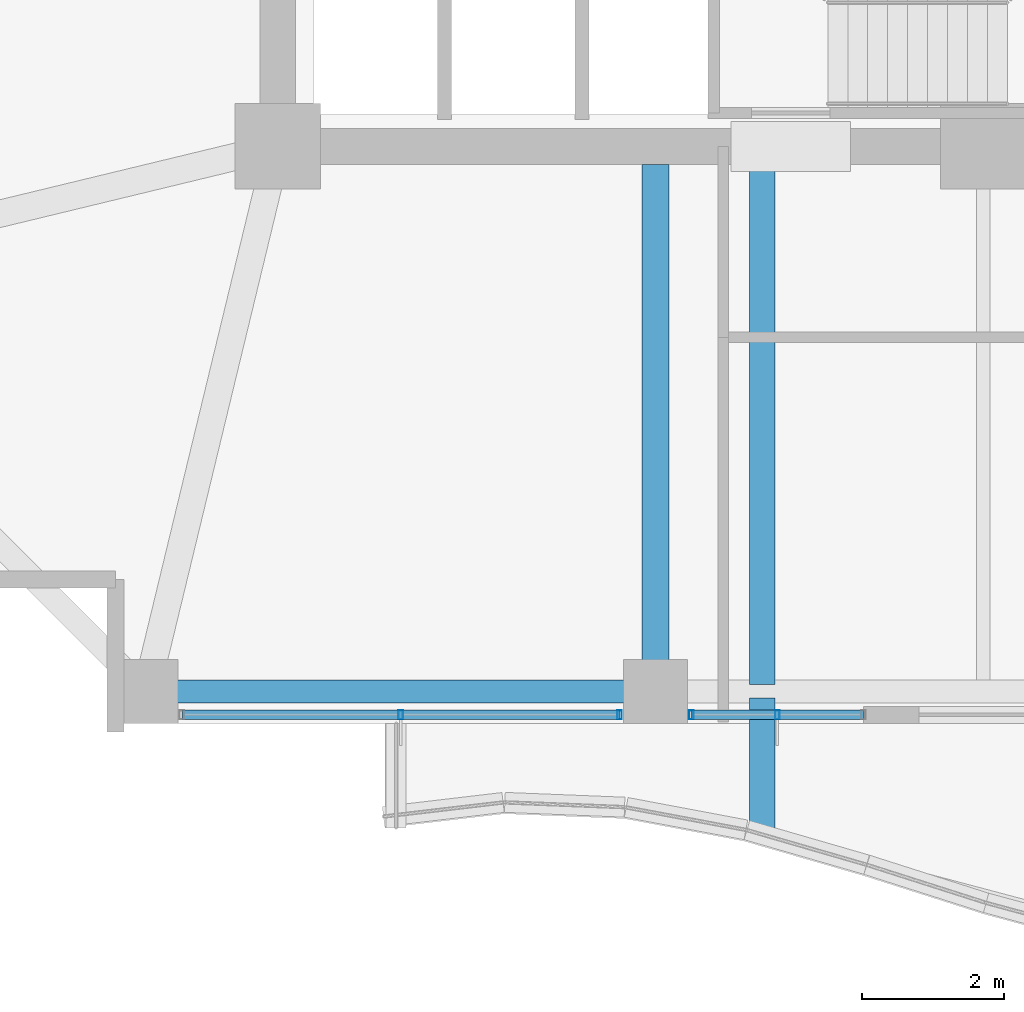
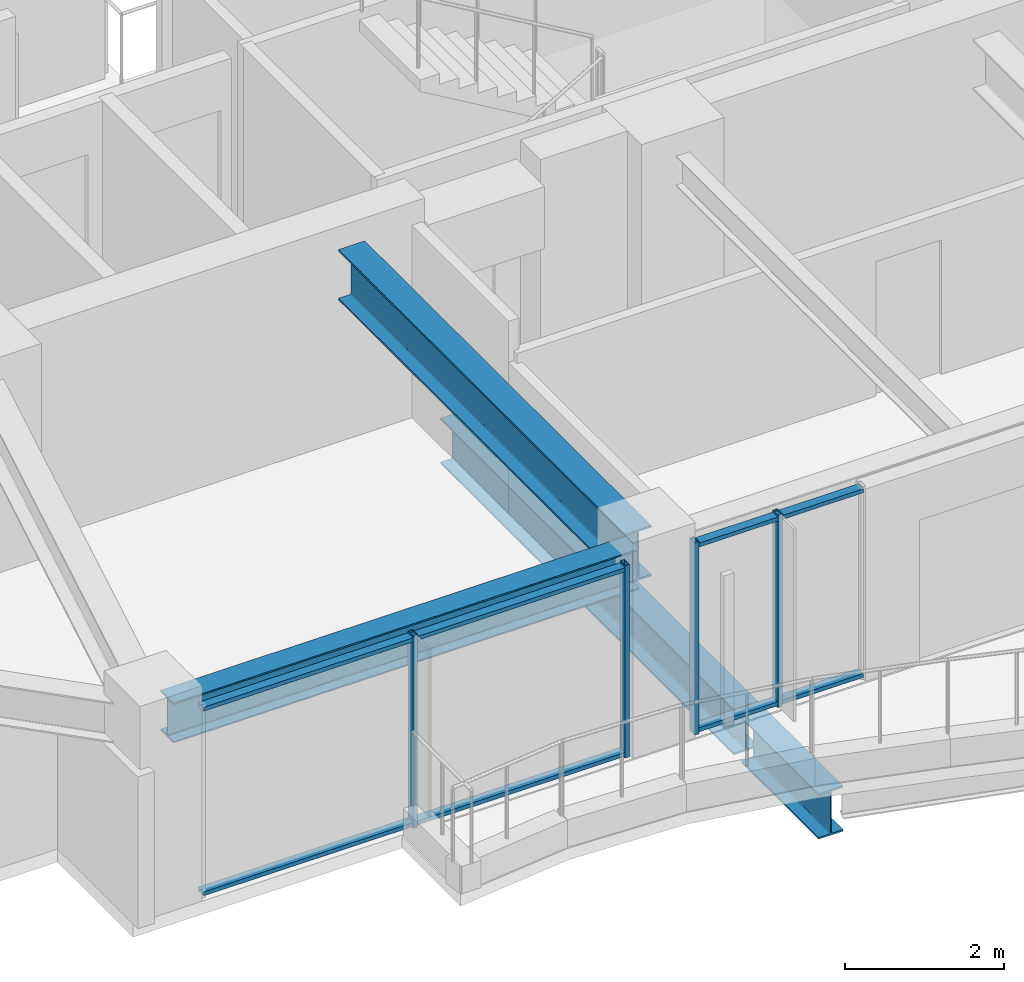
# One storey, part 3 of 31: 8 members, 4 beams, 2 elements without a shape of their own.
"""IFC4 building model written with IfcOpenShell, lengths in metres."""

from ifc_helpers import new_model, si_unit, direction, frame, origin, origin_2d, place, context, subcontext, project, spatial, hollow_rectangle, i_section, extrude, material, material_profile, profile_set, type_object, element, aggregate, save


model = new_model("IFC4")

# Units and contexts
model_context = context("Model", 3, precision=1e-05, world=origin(), true_north=direction((0.0, 1.0)))
body_context = subcontext(model_context, "Body", "Model", "MODEL_VIEW")
ifc_project = project(units=[si_unit("LENGTHUNIT", "METRE"), si_unit("AREAUNIT", "SQUARE_METRE"), si_unit("VOLUMEUNIT", "CUBIC_METRE"), si_unit("PLANEANGLEUNIT", "RADIAN"), si_unit("MASSUNIT", "GRAM", prefix="KILO")], contexts=[model_context])

# Site, building, storey
site_placement = place(None, origin())
site = spatial("IfcSite", under=ifc_project, at=site_placement, CompositionType="ELEMENT")
building_placement = place(site_placement, origin())
building = spatial("IfcBuilding", under=site, at=building_placement, Name="Kolvaren Belvedere", CompositionType="ELEMENT")
storey_placement = place(building_placement, frame((0.0, 0.0, 144.800048828125)))
storey = spatial("IfcBuildingStorey", under=building, at=storey_placement, Name="L42", CompositionType="ELEMENT", Elevation=144.800048828125)

# Beams
ifc_material_1 = material(Name="Structural steel ASTM A992 Grade 50", Category="steel")
ifc_material_profile_1 = material_profile(ifc_material_1, i_section(OverallWidth=0.35498046875, OverallDepth=0.696044921875, WebThickness=0.015380859375, FlangeThickness=0.02490234375, FilletRadius=0.02197265625, at=origin_2d()), Name="W27X146")
ifc_profile_set_1 = profile_set([ifc_material_profile_1], Name="Structural steel ASTM A992 Grade 50")
beam_type_1 = type_object("IfcBeamType", Name="BM-CANT-BAL", PredefinedType="BEAM", material=ifc_profile_set_1)
beam_1_placement = place(storey_placement, frame((-3.10009765625, -17.64501953125, -0.548095703125), z_axis=(0.0, -1.0, 0.0), x_axis=(1.0, 0.0, 0.0)))
element("IfcBeam", 1, at=beam_1_placement, inside=storey, type_object=beam_type_1, Name="L42 Planted Balcony Cantilever BAL-S-1", PredefinedType="BEAM", context=body_context, shape_type="SweptSolid", body=[
    extrude(i_section(OverallWidth=0.35498046875, OverallDepth=0.696044921875, WebThickness=0.015380859375, FlangeThickness=0.02490234375, FilletRadius=0.02197265625, at=origin_2d()), origin(), (0.0, 0.0, 1.0), 1.94189453125),
])
ifc_material_2 = material(Name="Structural steel ASTM A992 Grade 50", Category="steel")
ifc_material_profile_2 = material_profile(ifc_material_2, i_section(OverallWidth=0.35498046875, OverallDepth=0.696044921875, WebThickness=0.015380859375, FlangeThickness=0.02490234375, FilletRadius=0.02197265625, at=origin_2d()), Name="W27X146")
ifc_profile_set_2 = profile_set([ifc_material_profile_2], Name="Structural steel ASTM A992 Grade 50")
beam_type_2 = type_object("IfcBeamType", Name="BM-GIRD-W27X146", PredefinedType="BEAM", material=ifc_profile_set_2)
beam_2_placement = place(storey_placement, frame((-3.10009765625, -10.090087890625, -0.548095703125), z_axis=(0.0, -1.0, 0.0), x_axis=(1.0, 0.0, 0.0)))
element("IfcBeam", 2, at=beam_2_placement, inside=storey, type_object=beam_type_2, Name="L42 Balcony Interior Back-Span Girder BAL-S-1", PredefinedType="BEAM", context=body_context, shape_type="SweptSolid", body=[
    extrude(i_section(OverallWidth=0.35498046875, OverallDepth=0.696044921875, WebThickness=0.015380859375, FlangeThickness=0.02490234375, FilletRadius=0.02197265625, at=origin_2d()), origin(), (0.0, 0.0, 1.0), 7.364990234375),
])
ifc_material_3 = material(Name="Structural steel ASTM A992 Grade 50", Category="steel")
ifc_material_profile_3 = material_profile(ifc_material_3, i_section(OverallWidth=0.381103515625, OverallDepth=0.77294921875, WebThickness=0.0166015625, FlangeThickness=0.027099609375, FilletRadius=0.02392578125, at=origin_2d()), Name="W30X173")
ifc_profile_set_3 = profile_set([ifc_material_profile_3], Name="Structural steel ASTM A992 Grade 50")
beam_type_3 = type_object("IfcBeamType", Name="BM-GIRD-W30X173", PredefinedType="BEAM", material=ifc_profile_set_3)
beam_3_placement = place(storey_placement, frame((-4.60009765625, -10.14990234375, 2.5634765625), z_axis=(0.0, -1.0, 0.0), x_axis=(1.0, 0.0, 0.0)))
element("IfcBeam", 3, at=beam_3_placement, inside=storey, type_object=beam_type_3, Name="L42 South Radial Girder M", PredefinedType="BEAM", context=body_context, shape_type="SweptSolid", body=[
    extrude(i_section(OverallWidth=0.381103515625, OverallDepth=0.77294921875, WebThickness=0.0166015625, FlangeThickness=0.027099609375, FilletRadius=0.02392578125, at=origin_2d()), origin(), (0.0, 0.0, 1.0), 7.197509765625),
])
ifc_material_4 = material(Name="Structural steel ASTM A992 Grade 50", Category="steel")
ifc_material_profile_4 = material_profile(ifc_material_4, i_section(OverallWidth=0.324951171875, OverallDepth=0.615966796875, WebThickness=0.013916015625, FlangeThickness=0.021484375, FilletRadius=0.02001953125, at=origin_2d()), Name="W24X117")
ifc_profile_set_4 = profile_set([ifc_material_profile_4], Name="Structural steel ASTM A992 Grade 50")
beam_type_4 = type_object("IfcBeamType", Name="BM-SPAN-W24X117", PredefinedType="SPANDREL", material=ifc_profile_set_4)
beam_4_placement = place(storey_placement, frame((-11.547607421875, -17.550048828125, 2.641845703125), z_axis=(1.0, 0.0, 0.0), x_axis=(0.0, 1.0, 0.0)))
element("IfcBeam", 4, at=beam_4_placement, inside=storey, type_object=beam_type_4, Name="L42 Perimeter Spandrel S1-S2", PredefinedType="SPANDREL", context=body_context, shape_type="SweptSolid", body=[
    extrude(i_section(OverallWidth=0.324951171875, OverallDepth=0.615966796875, WebThickness=0.013916015625, FlangeThickness=0.021484375, FilletRadius=0.02001953125, at=origin_2d()), origin(), (0.0, 0.0, 1.0), 6.7451171875),
])

# Curtain wall, members
ifc_material_5 = material(Name="Anodised pale-metal aluminium AA 6063-T6", Category="aluminium")
curtain_wall_type = type_object("IfcCurtainWallType", Name="CW-Z3-WAIST", PredefinedType="NOTDEFINED", material=ifc_material_5)
curtain_wall_1_placement = place(storey_placement, origin())
curtain_wall_1 = element("IfcCurtainWall", 5, at=curtain_wall_1_placement, inside=storey, type_object=curtain_wall_type, Name="L42 Unitised Curtain Wall FCW-L42-S2-B1", PredefinedType="NOTDEFINED")
ifc_material_6 = material(Name="Anodised pale-metal aluminium AA 6063-T6", Category="aluminium")
ifc_material_profile_5 = material_profile(ifc_material_6, hollow_rectangle(XDim=0.06494140625, YDim=0.1298828125, WallThickness=0.00390625, at=origin_2d()), Name="ALU-MUL-130X65")
ifc_profile_set_5 = profile_set([ifc_material_profile_5], Name="Anodised pale-metal aluminium AA 6063-T6")
member_type_1 = type_object("IfcMemberType", Name="CW-MUL-130", PredefinedType="MULLION", material=ifc_profile_set_5)
member_1_placement = place(storey_placement, frame((-2.888671875, -17.8798828125, 0.0), z_axis=(0.0, 0.0, 1.0), x_axis=(1.0, 0.0, 0.0)))
member_1 = element("IfcMember", 6, at=member_1_placement, type_object=member_type_1, Name="FCW-L42-S2-B1 Unitised Mullion 2", PredefinedType="MULLION", context=body_context, shape_type="SweptSolid", body=[
    extrude(hollow_rectangle(XDim=0.06494140625, YDim=0.1298828125, WallThickness=0.00390625, at=origin_2d()), origin(), (0.0, 0.0, 1.0), 2.949951171875),
])
member_2_placement = place(storey_placement, frame((-4.097412109375, -17.8798828125, 0.0), z_axis=(0.0, 0.0, 1.0), x_axis=(1.0, 0.0, 0.0)))
member_2 = element("IfcMember", 7, at=member_2_placement, type_object=member_type_1, Name="FCW-L42-S2-B1 Unitised Mullion 3", PredefinedType="MULLION", context=body_context, shape_type="SweptSolid", body=[
    extrude(hollow_rectangle(XDim=0.06494140625, YDim=0.1298828125, WallThickness=0.00390625, at=origin_2d()), origin(), (0.0, 0.0, 1.0), 2.949951171875),
])

curtain_wall_2_placement = place(storey_placement, origin())
curtain_wall_2 = element("IfcCurtainWall", 8, at=curtain_wall_2_placement, inside=storey, type_object=curtain_wall_type, Name="L42 Unitised Curtain Wall FCW-L42-S2-B2", PredefinedType="NOTDEFINED")
member_3_placement = place(storey_placement, frame((-5.1025390625, -17.8798828125, 0.0), z_axis=(0.0, 0.0, 1.0), x_axis=(1.0, 0.0, 0.0)))
member_3 = element("IfcMember", 9, at=member_3_placement, type_object=member_type_1, Name="FCW-L42-S2-B2 Unitised Mullion 1", PredefinedType="MULLION", context=body_context, shape_type="SweptSolid", body=[
    extrude(hollow_rectangle(XDim=0.06494140625, YDim=0.1298828125, WallThickness=0.00390625, at=origin_2d()), origin(), (0.0, 0.0, 1.0), 2.949951171875),
])
member_4_placement = place(storey_placement, frame((-8.175048828125, -17.8798828125, 0.0), z_axis=(0.0, 0.0, 1.0), x_axis=(1.0, 0.0, 0.0)))
member_4 = element("IfcMember", 10, at=member_4_placement, type_object=member_type_1, Name="FCW-L42-S2-B2 Unitised Mullion 2", PredefinedType="MULLION", context=body_context, shape_type="SweptSolid", body=[
    extrude(hollow_rectangle(XDim=0.06494140625, YDim=0.1298828125, WallThickness=0.00390625, at=origin_2d()), origin(), (0.0, 0.0, 1.0), 2.949951171875),
])

# Member
ifc_material_7 = material(Name="Anodised pale-metal aluminium AA 6063-T6", Category="aluminium")
ifc_material_profile_6 = material_profile(ifc_material_7, hollow_rectangle(XDim=0.06005859375, YDim=0.1298828125, WallThickness=0.00390625, at=origin_2d()), Name="ALU-TRN-130X60")
ifc_profile_set_6 = profile_set([ifc_material_profile_6], Name="Anodised pale-metal aluminium AA 6063-T6")
member_type_2 = type_object("IfcMemberType", Name="CW-TRN-130", PredefinedType="USERDEFINED", material=ifc_profile_set_6)
member_5_placement = place(storey_placement, frame((-1.679931640625, -17.8798828125, 0.06005859375), z_axis=(-1.0, 0.0, 0.0), x_axis=(0.0, 0.0, 1.0)))
member_5 = element("IfcMember", 11, at=member_5_placement, type_object=member_type_2, Name="FCW-L42-S2-B1 Sill Transom", ObjectType="TRANSOM", PredefinedType="USERDEFINED", context=body_context, shape_type="SweptSolid", body=[
    extrude(hollow_rectangle(XDim=0.06005859375, YDim=0.1298828125, WallThickness=0.00390625, at=origin_2d()), origin(), (0.0, 0.0, 1.0), 2.41748046875),
])

member_6_placement = place(storey_placement, frame((-1.679931640625, -17.8798828125, 2.889892578125), z_axis=(-1.0, 0.0, 0.0), x_axis=(0.0, 0.0, 1.0)))
member_6 = element("IfcMember", 12, at=member_6_placement, type_object=member_type_2, Name="FCW-L42-S2-B1 Head Transom", ObjectType="TRANSOM", PredefinedType="USERDEFINED", context=body_context, shape_type="SweptSolid", body=[
    extrude(hollow_rectangle(XDim=0.06005859375, YDim=0.1298828125, WallThickness=0.00390625, at=origin_2d()), origin(), (0.0, 0.0, 1.0), 2.41748046875),
])

aggregate(curtain_wall_1, [member_1, member_2, member_5, member_6])

member_7_placement = place(storey_placement, frame((-5.1025390625, -17.8798828125, 0.06005859375), z_axis=(-1.0, 0.0, 0.0), x_axis=(0.0, 0.0, 1.0)))
member_7 = element("IfcMember", 13, at=member_7_placement, type_object=member_type_2, Name="FCW-L42-S2-B2 Sill Transom", ObjectType="TRANSOM", PredefinedType="USERDEFINED", context=body_context, shape_type="SweptSolid", body=[
    extrude(hollow_rectangle(XDim=0.06005859375, YDim=0.1298828125, WallThickness=0.00390625, at=origin_2d()), origin(), (0.0, 0.0, 1.0), 6.14501953125),
])

member_8_placement = place(storey_placement, frame((-5.1025390625, -17.8798828125, 2.889892578125), z_axis=(-1.0, 0.0, 0.0), x_axis=(0.0, 0.0, 1.0)))
member_8 = element("IfcMember", 14, at=member_8_placement, type_object=member_type_2, Name="FCW-L42-S2-B2 Head Transom", ObjectType="TRANSOM", PredefinedType="USERDEFINED", context=body_context, shape_type="SweptSolid", body=[
    extrude(hollow_rectangle(XDim=0.06005859375, YDim=0.1298828125, WallThickness=0.00390625, at=origin_2d()), origin(), (0.0, 0.0, 1.0), 6.14501953125),
])

aggregate(curtain_wall_2, [member_3, member_4, member_7, member_8])

save(model, "model.ifc")
